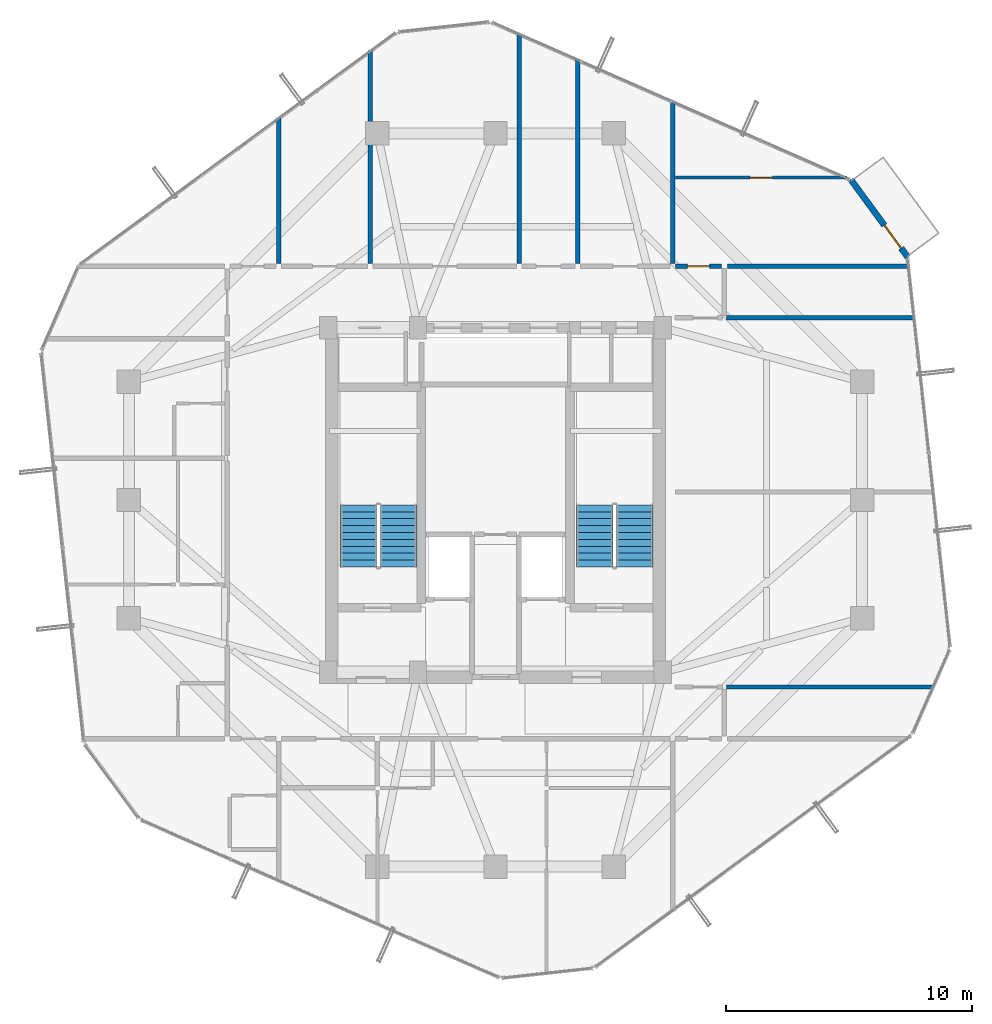
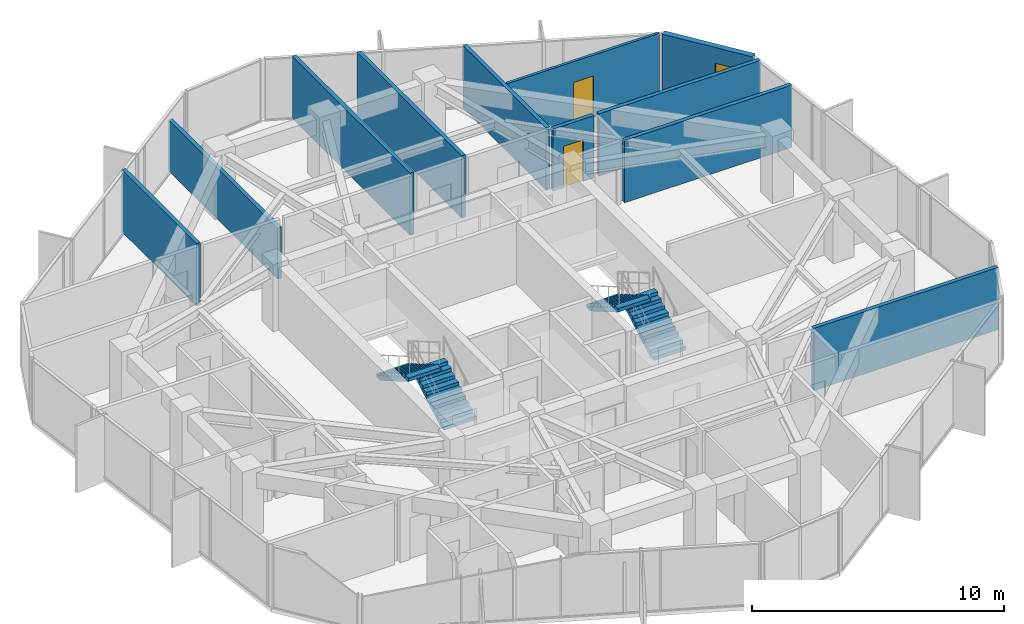
# One storey, part 30 of 32: 11 walls, 4 stair flights, 3 doors, 3 openings, 2 elements without a shape of their own.
"""IFC4 building model written with IfcOpenShell, lengths in metres."""

from ifc_helpers import new_model, si_unit, direction, frame, frame_2d, origin, place, context, subcontext, project, spatial, polyline, rectangle, outline, extrude, source, transform, mapped, material, layer, layer_set, type_object, element, fill, aggregate, save


model = new_model("IFC4")

# Units and contexts
model_context = context("Model", 3, precision=1e-05, world=origin(), true_north=direction((0.0, 1.0)))
body_context = subcontext(model_context, "Body", "Model", "MODEL_VIEW")
ifc_project = project(units=[si_unit("LENGTHUNIT", "METRE"), si_unit("AREAUNIT", "SQUARE_METRE"), si_unit("VOLUMEUNIT", "CUBIC_METRE"), si_unit("PLANEANGLEUNIT", "RADIAN"), si_unit("MASSUNIT", "GRAM", prefix="KILO")], contexts=[model_context])

# Site, building, storey
site_placement = place(None, origin())
site = spatial("IfcSite", under=ifc_project, at=site_placement, CompositionType="ELEMENT")
building_placement = place(site_placement, origin())
building = spatial("IfcBuilding", under=site, at=building_placement, Name="Veraguas Prism Commons", CompositionType="ELEMENT")
storey_placement = place(building_placement, frame((0.0, 0.0, 185.35009765625)))
storey = spatial("IfcBuildingStorey", under=building, at=storey_placement, Name="L52", CompositionType="ELEMENT", Elevation=185.35009765625)

# Walls
ifc_material_1 = material(Name="Autoclaved aerated masonry block 10 MPa", Category="masonry")
ifc_layer_1 = layer(ifc_material_1, 0.179931640625, Name="Corridor and Inter-Tenancy Partition 180", Category="masonry")
ifc_layer_set_1 = layer_set([ifc_layer_1], Name="Autoclaved aerated masonry block 10 MPa")
wall_type_1 = type_object("IfcWallType", Name="Corridor and Inter-Tenancy Partition 180", PredefinedType="PARTITIONING", material=ifc_layer_set_1)
wall_1_placement = place(storey_placement, frame((15.199951171875, 33.6201171875, 0.0), z_axis=(0.0, 0.0, 1.0), x_axis=(0.0, 1.0, 0.0)))
element("IfcWall", 1, at=wall_1_placement, inside=storey, type_object=wall_type_1, Name="WL-L52-PT013", PredefinedType="PARTITIONING", context=body_context, shape_type="SweptSolid", body=[
    extrude(rectangle(XDim=5.92578125, YDim=0.179931640625, at=frame_2d((2.962890625, 0.0))), origin(), (0.0, 0.0, 1.0), 3.014892578125),
])
wall_2_placement = place(storey_placement, frame((31.199951171875, 33.6201171875, 0.0), z_axis=(0.0, 0.0, 1.0), x_axis=(0.0, 1.0, 0.0)))
element("IfcWall", 2, at=wall_2_placement, inside=storey, type_object=wall_type_1, Name="WL-L52-PT014", PredefinedType="PARTITIONING", context=body_context, shape_type="SweptSolid", body=[
    extrude(rectangle(XDim=6.59326171875, YDim=0.179931640625, at=frame_2d((3.296630859375, 0.0))), origin(), (0.0, 0.0, 1.0), 3.014892578125),
])
wall_3_placement = place(storey_placement, frame((18.9130859375, 33.6201171875, 0.0), z_axis=(0.0, 0.0, 1.0), x_axis=(0.0, 1.0, 0.0)))
element("IfcWall", 3, at=wall_3_placement, inside=storey, type_object=wall_type_1, Name="WL-L52-PT017", PredefinedType="PARTITIONING", context=body_context, shape_type="SweptSolid", body=[
    extrude(rectangle(XDim=8.6494140625, YDim=0.179931640625, at=frame_2d((4.32470703125, 0.0))), origin(), (0.0, 0.0, 1.0), 2.468994140625),
])
wall_4_placement = place(storey_placement, frame((24.969970703125, 33.6201171875, 0.0), z_axis=(0.0, 0.0, 1.0), x_axis=(0.0, 1.0, 0.0)))
element("IfcWall", 4, at=wall_4_placement, inside=storey, type_object=wall_type_1, Name="WL-L52-PT018", PredefinedType="PARTITIONING", context=body_context, shape_type="SweptSolid", body=[
    extrude(rectangle(XDim=9.33349609375, YDim=0.179931640625, at=frame_2d((4.666748046875, 0.0))), origin(), (0.0, 0.0, 1.0), 3.014892578125),
])
wall_5_placement = place(storey_placement, frame((27.3369140625, 33.6201171875, 0.0), z_axis=(0.0, 0.0, 1.0), x_axis=(0.0, 1.0, 0.0)))
element("IfcWall", 5, at=wall_5_placement, inside=storey, type_object=wall_type_1, Name="WL-L52-PT021", PredefinedType="PARTITIONING", context=body_context, shape_type="SweptSolid", body=[
    extrude(rectangle(XDim=8.29248046875, YDim=0.179931640625, at=frame_2d((4.146240234375, 0.0))), origin(), (0.0, 0.0, 1.0), 3.014892578125),
])
wall_6_placement = place(storey_placement, frame((33.3798828125, 16.39990234375, 0.0), z_axis=(0.0, 0.0, 1.0), x_axis=(1.0, 0.0, 0.0)))
element("IfcWall", 6, at=wall_6_placement, inside=storey, type_object=wall_type_1, Name="WL-L52-PT040", PredefinedType="PARTITIONING", context=body_context, shape_type="SweptSolid", body=[
    extrude(rectangle(XDim=8.441650390625, YDim=0.179931640625, at=frame_2d((4.220703125, 0.0))), origin(), (0.0, 0.0, 1.0), 3.014892578125),
])
wall_7_placement = place(storey_placement, frame((33.3798828125, 31.39990234375, 0.0), z_axis=(0.0, 0.0, 1.0), x_axis=(1.0, 0.0, 0.0)))
element("IfcWall", 7, at=wall_7_placement, inside=storey, type_object=wall_type_1, Name="WL-L52-PT042", PredefinedType="PARTITIONING", context=body_context, shape_type="SweptSolid", body=[
    extrude(rectangle(XDim=7.655029296875, YDim=0.179931640625, at=frame_2d((3.82763671875, 0.0))), origin(), (0.0, 0.0, 1.0), 3.014892578125),
])
wall_8_placement = place(storey_placement, frame((33.419921875, 33.5, 0.0), z_axis=(0.0, 0.0, 1.0), x_axis=(1.0, 0.0, 0.0)))
element("IfcWall", 8, at=wall_8_placement, inside=storey, type_object=wall_type_1, Name="WL-L52-PT050", PredefinedType="PARTITIONING", context=body_context, shape_type="SweptSolid", body=[
    extrude(rectangle(XDim=7.384765625, YDim=0.179931640625, at=frame_2d((3.6923828125, 0.0))), origin(), (0.0, 0.0, 1.0), 3.014892578125),
])

# Wall, opening, door
wall_9_placement = place(storey_placement, frame((31.320068359375, 33.5, 0.0), z_axis=(0.0, 0.0, 1.0), x_axis=(1.0, 0.0, 0.0)))
wall_9 = element("IfcWall", 9, at=wall_9_placement, inside=storey, type_object=wall_type_1, Name="WL-L52-PT051", PredefinedType="PARTITIONING", context=body_context, shape_type="SweptSolid", body=[
    extrude(rectangle(XDim=1.85986328125, YDim=0.179931640625, at=frame_2d((0.929931640625, 0.0))), origin(), (0.0, 0.0, 1.0), 3.014892578125),
])
opening_1_placement = place(wall_9_placement, frame((0.47998046875, 0.0, 0.0)))
opening_1 = element("IfcOpeningElement", 10, at=opening_1_placement, cuts=wall_9, Name="Opening DR-14", PredefinedType="OPENING", context=body_context, shape_type="SweptSolid", body=[
    extrude(rectangle(XDim=0.89990234375, YDim=2.010009765625, at=frame_2d((0.449951171875, 1.0048828125))), frame((0.0, 0.099853515625, 0.0), z_axis=(0.0, -1.0, 0.0), x_axis=(1.0, 0.0, 0.0)), (0.0, 0.0, 1.0), 0.199951171875),
])
ifc_material_2 = material(Name="Steel fire-rated door assembly", Category="steel")
door_type_1 = type_object("IfcDoorType", Name="Core Service Room Fire Door 900x2010", OperationType="NOTDEFINED", PredefinedType="DOOR", material=ifc_material_2)
shared_shape_1 = source(origin(), body_context, "Body", "SweptSolid", [
    extrude(rectangle(XDim=0.89990234375, YDim=2.010009765625, at=frame_2d((0.449951171875, 1.0048828125))), frame((0.0, 0.02490234375, 0.0), z_axis=(0.0, -1.0, 0.0), x_axis=(1.0, 0.0, 0.0)), (0.0, 0.0, 1.0), 0.050048828125),
])
door_1_placement = place(opening_1_placement, origin())
door_1 = element("IfcDoor", 11, at=door_1_placement, inside=storey, type_object=door_type_1, Name="Corner Study NE Door", OperationType="SINGLE_SWING_LEFT", OverallHeight=2.010009765625, OverallWidth=0.89990234375, PredefinedType="DOOR", context=body_context, shape_type="MappedRepresentation", body=[
    mapped(shared_shape_1, transform((0.0, 0.0, 0.0), scale=1.0)),
])
fill(opening_1, door_1)

ifc_material_3 = material(Name="Precast concrete C40/50", Category="concrete")
ifc_layer_2 = layer(ifc_material_3, 0.25, Name="External Loggia and Portal Wall 250", Category="concrete")
ifc_layer_set_2 = layer_set([ifc_layer_2], Name="Precast concrete C40/50")
wall_type_2 = type_object("IfcWallType", Name="External Loggia and Portal Wall 250", PredefinedType="SOLIDWALL", material=ifc_layer_set_2)
wall_10_placement = place(storey_placement, frame((40.7548828125, 33.8623046875, 0.0), z_axis=(0.0, 0.0, 1.0), x_axis=(-0.591474510033, 0.806323696775, 0.0)))
wall_10 = element("IfcWall", 12, at=wall_10_placement, inside=storey, type_object=wall_type_2, Name="Corner Loggia Wall L52-C1", PredefinedType="SOLIDWALL", context=body_context, shape_type="SweptSolid", body=[
    extrude(rectangle(XDim=3.914794921875, YDim=0.25, at=frame_2d((1.95751953125, 0.0))), origin(), (0.0, 0.0, 1.0), 3.014892578125),
])
opening_2_placement = place(wall_10_placement, frame((0.4599609375, 0.0, 0.0)))
opening_2 = element("IfcOpeningElement", 13, at=opening_2_placement, cuts=wall_10, Name="Opening DR-10", PredefinedType="OPENING", context=body_context, shape_type="SweptSolid", body=[
    extrude(rectangle(XDim=1.14990234375, YDim=2.25, at=frame_2d((0.574951171875, 1.125))), frame((0.0, 0.135009765625, 0.0), z_axis=(0.0, -1.0, 0.0), x_axis=(1.0, 0.0, 0.0)), (0.0, 0.0, 1.0), 0.27001953125),
])
ifc_material_4 = material(Name="Anodised aluminium EN AW-6063 T6", Category="aluminium")
door_type_2 = type_object("IfcDoorType", Name="Glazed Loggia and Terrace Door 1150x2250", OperationType="NOTDEFINED", PredefinedType="DOOR", material=ifc_material_4)
shared_shape_2 = source(origin(), body_context, "Body", "SweptSolid", [
    extrude(rectangle(XDim=1.14990234375, YDim=2.25, at=frame_2d((0.574951171875, 1.125))), frame((0.0, 0.02490234375, 0.0), z_axis=(0.0, -1.0, 0.0), x_axis=(1.0, 0.0, 0.0)), (0.0, 0.0, 1.0), 0.050048828125),
])
door_2_placement = place(opening_2_placement, frame((1.14990234375, 0.0, 0.0), z_axis=(0.0, 0.0, 1.0), x_axis=(-1.0, 0.0, 0.0)))
door_2 = element("IfcDoor", 14, at=door_2_placement, inside=storey, type_object=door_type_2, Name="Recessed Loggia Door L52-C1", OperationType="SINGLE_SWING_RIGHT", OverallHeight=2.25, OverallWidth=1.14990234375, PredefinedType="DOOR", context=body_context, shape_type="MappedRepresentation", body=[
    mapped(shared_shape_2, transform((0.0, 0.0, 0.0), scale=1.0)),
])
fill(opening_2, door_2)

ifc_material_5 = material(Name="Lightweight acoustic gypsum board")
ifc_layer_3 = layer(ifc_material_5, 0.125, Name="Internal Apartment Room Partition 125")
ifc_layer_set_3 = layer_set([ifc_layer_3], Name="Lightweight acoustic gypsum board")
wall_type_3 = type_object("IfcWallType", Name="Internal Apartment Room Partition 125", PredefinedType="PARTITIONING", material=ifc_layer_set_3)
wall_11_placement = place(storey_placement, frame((31.320068359375, 37.10009765625, 0.0), z_axis=(0.0, 0.0, 1.0), x_axis=(1.0, 0.0, 0.0)))
wall_11 = element("IfcWall", 15, at=wall_11_placement, inside=storey, type_object=wall_type_3, Name="WL-L52-PT052", PredefinedType="PARTITIONING", context=body_context, shape_type="SweptSolid", body=[
    extrude(rectangle(XDim=6.959228515625, YDim=0.125, at=frame_2d((3.4794921875, 0.0))), origin(), (0.0, 0.0, 1.0), 3.014892578125),
])
opening_3_placement = place(wall_11_placement, frame((3.02978515625, 0.0, 0.0)))
opening_3 = element("IfcOpeningElement", 16, at=opening_3_placement, cuts=wall_11, Name="Opening DR-02", PredefinedType="OPENING", context=body_context, shape_type="SweptSolid", body=[
    extrude(rectangle(XDim=0.89990234375, YDim=2.010009765625, at=frame_2d((0.449951171875, 1.0048828125))), frame((0.0, 0.072509765625, 0.0), z_axis=(0.0, -1.0, 0.0), x_axis=(1.0, 0.0, 0.0)), (0.0, 0.0, 1.0), 0.14501953125),
])
ifc_material_6 = material(Name="Timber solid core hardwood", Category="wood")
door_type_3 = type_object("IfcDoorType", Name="Internal Habitable Room Door 900x2010", OperationType="NOTDEFINED", PredefinedType="DOOR", material=ifc_material_6)
door_3_placement = place(opening_3_placement, origin())
door_3 = element("IfcDoor", 17, at=door_3_placement, inside=storey, type_object=door_type_3, Name="Craft Room NE Door", OperationType="SINGLE_SWING_RIGHT", OverallHeight=2.010009765625, OverallWidth=0.89990234375, PredefinedType="DOOR", context=body_context, shape_type="MappedRepresentation", body=[
    mapped(shared_shape_1, transform((0.0, 0.0, 0.0), scale=1.0)),
])
fill(opening_3, door_3)

# Stair, stair flights
ifc_material_7 = material(Name="Precast concrete C45/55", Category="concrete")
stair_type = type_object("IfcStairType", Name="Dogleg Core Stair 1480W 20R 05", PredefinedType="HALF_TURN_STAIR", material=ifc_material_7)
stair_1_placement = place(storey_placement, origin())
stair_1 = element("IfcStair", 18, at=stair_1_placement, inside=storey, type_object=stair_type, Name="Protected Exit Stair ST-01 L52", PredefinedType="HALF_TURN_STAIR")
stair_flight_type = type_object("IfcStairFlightType", Name="Precast Stair Flight 1480W 10R 05", PredefinedType="STRAIGHT", material=ifc_material_7)
stair_flight_1_placement = place(storey_placement, frame((20.06005859375, 21.280029296875, 0.0), z_axis=(0.0, 0.0, 1.0), x_axis=(0.0, 1.0, 0.0)))
stair_flight_1 = element("IfcStairFlight", 19, at=stair_flight_1_placement, type_object=stair_flight_type, Name="ST-05 Flight 1", NumberOfRisers=10, NumberOfTreads=9, PredefinedType="STRAIGHT", RiserHeight=0.1625, TreadLength=0.28, context=body_context, shape_type="SweptSolid", body=[
    extrude(outline(polyline([(0.0, 0.0), (0.0, 0.16259765625), (0.280029296875, 0.16259765625), (0.280029296875, 0.324951171875), (0.56005859375, 0.324951171875), (0.56005859375, 0.487548828125), (0.840087890625, 0.487548828125), (0.840087890625, 0.64990234375), (1.1201171875, 0.64990234375), (1.1201171875, 0.8125), (1.39990234375, 0.8125), (1.39990234375, 0.97509765625), (1.679931640625, 0.97509765625), (1.679931640625, 1.137451171875), (1.9599609375, 1.137451171875), (1.9599609375, 1.300048828125), (2.239990234375, 1.300048828125), (2.239990234375, 1.46240234375), (2.52001953125, 1.46240234375), (2.52001953125, 1.625), (2.52001953125, 1.2890625), (0.298583984375, 0.0), (0.0, 0.0)])), frame((0.0, 0.739990234375, 0.0), z_axis=(0.0, -1.0, 0.0), x_axis=(1.0, 0.0, 0.0)), (0.0, 0.0, 1.0), 1.47998046875),
])
stair_flight_2_placement = place(storey_placement, frame((18.429931640625, 23.800048828125, 1.625), z_axis=(0.0, 0.0, 1.0), x_axis=(0.0, -1.0, 0.0)))
stair_flight_2 = element("IfcStairFlight", 20, at=stair_flight_2_placement, type_object=stair_flight_type, Name="ST-05 Flight 2", NumberOfRisers=10, NumberOfTreads=9, PredefinedType="STRAIGHT", RiserHeight=0.1625, TreadLength=0.28, context=body_context, shape_type="SweptSolid", body=[
    extrude(outline(polyline([(0.0, 0.0), (0.0, 0.16259765625), (0.280029296875, 0.16259765625), (0.280029296875, 0.324951171875), (0.56005859375, 0.324951171875), (0.56005859375, 0.487548828125), (0.840087890625, 0.487548828125), (0.840087890625, 0.64990234375), (1.1201171875, 0.64990234375), (1.1201171875, 0.8125), (1.39990234375, 0.8125), (1.39990234375, 0.97509765625), (1.679931640625, 0.97509765625), (1.679931640625, 1.137451171875), (1.9599609375, 1.137451171875), (1.9599609375, 1.300048828125), (2.239990234375, 1.300048828125), (2.239990234375, 1.46240234375), (2.52001953125, 1.46240234375), (2.52001953125, 1.625), (2.52001953125, 1.2890625), (0.298583984375, 0.0), (0.0, 0.0)])), frame((0.0, 0.739990234375, 0.0), z_axis=(0.0, -1.0, 0.0), x_axis=(1.0, 0.0, 0.0)), (0.0, 0.0, 1.0), 1.47998046875),
])
aggregate(stair_1, [stair_flight_1, stair_flight_2])

stair_2_placement = place(storey_placement, origin())
stair_2 = element("IfcStair", 21, at=stair_2_placement, inside=storey, type_object=stair_type, Name="Protected Exit Stair ST-02 L52", PredefinedType="HALF_TURN_STAIR")
stair_flight_3_placement = place(storey_placement, frame((29.659912109375, 21.280029296875, 0.0), z_axis=(0.0, 0.0, 1.0), x_axis=(0.0, 1.0, 0.0)))
stair_flight_3 = element("IfcStairFlight", 22, at=stair_flight_3_placement, type_object=stair_flight_type, Name="ST-05 Flight 1", NumberOfRisers=10, NumberOfTreads=9, PredefinedType="STRAIGHT", RiserHeight=0.1625, TreadLength=0.28, context=body_context, shape_type="SweptSolid", body=[
    extrude(outline(polyline([(0.0, 0.0), (0.0, 0.16259765625), (0.280029296875, 0.16259765625), (0.280029296875, 0.324951171875), (0.56005859375, 0.324951171875), (0.56005859375, 0.487548828125), (0.840087890625, 0.487548828125), (0.840087890625, 0.64990234375), (1.1201171875, 0.64990234375), (1.1201171875, 0.8125), (1.39990234375, 0.8125), (1.39990234375, 0.97509765625), (1.679931640625, 0.97509765625), (1.679931640625, 1.137451171875), (1.9599609375, 1.137451171875), (1.9599609375, 1.300048828125), (2.239990234375, 1.300048828125), (2.239990234375, 1.46240234375), (2.52001953125, 1.46240234375), (2.52001953125, 1.625), (2.52001953125, 1.2890625), (0.298583984375, 0.0), (0.0, 0.0)])), frame((0.0, 0.739990234375, 0.0), z_axis=(0.0, -1.0, 0.0), x_axis=(1.0, 0.0, 0.0)), (0.0, 0.0, 1.0), 1.47998046875),
])
stair_flight_4_placement = place(storey_placement, frame((28.030029296875, 23.800048828125, 1.625), z_axis=(0.0, 0.0, 1.0), x_axis=(0.0, -1.0, 0.0)))
stair_flight_4 = element("IfcStairFlight", 23, at=stair_flight_4_placement, type_object=stair_flight_type, Name="ST-05 Flight 2", NumberOfRisers=10, NumberOfTreads=9, PredefinedType="STRAIGHT", RiserHeight=0.1625, TreadLength=0.28, context=body_context, shape_type="SweptSolid", body=[
    extrude(outline(polyline([(0.0, 0.0), (0.0, 0.16259765625), (0.280029296875, 0.16259765625), (0.280029296875, 0.324951171875), (0.56005859375, 0.324951171875), (0.56005859375, 0.487548828125), (0.840087890625, 0.487548828125), (0.840087890625, 0.64990234375), (1.1201171875, 0.64990234375), (1.1201171875, 0.8125), (1.39990234375, 0.8125), (1.39990234375, 0.97509765625), (1.679931640625, 0.97509765625), (1.679931640625, 1.137451171875), (1.9599609375, 1.137451171875), (1.9599609375, 1.300048828125), (2.239990234375, 1.300048828125), (2.239990234375, 1.46240234375), (2.52001953125, 1.46240234375), (2.52001953125, 1.625), (2.52001953125, 1.2890625), (0.298583984375, 0.0), (0.0, 0.0)])), frame((0.0, 0.739990234375, 0.0), z_axis=(0.0, -1.0, 0.0), x_axis=(1.0, 0.0, 0.0)), (0.0, 0.0, 1.0), 1.47998046875),
])
aggregate(stair_2, [stair_flight_3, stair_flight_4])

save(model, "model.ifc")
